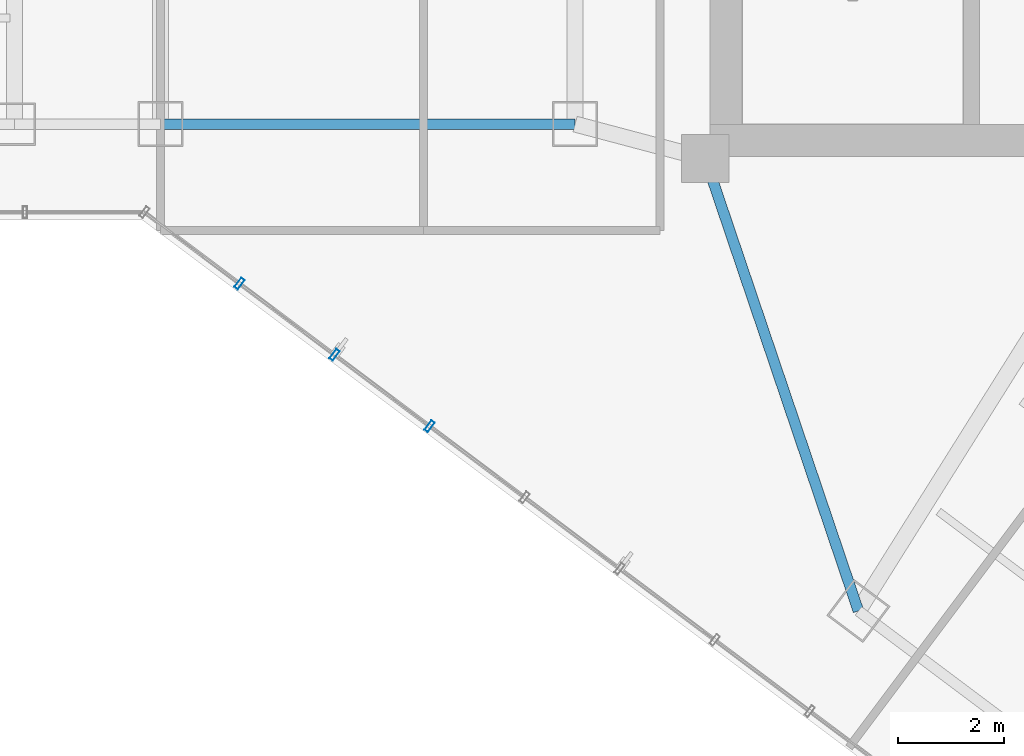
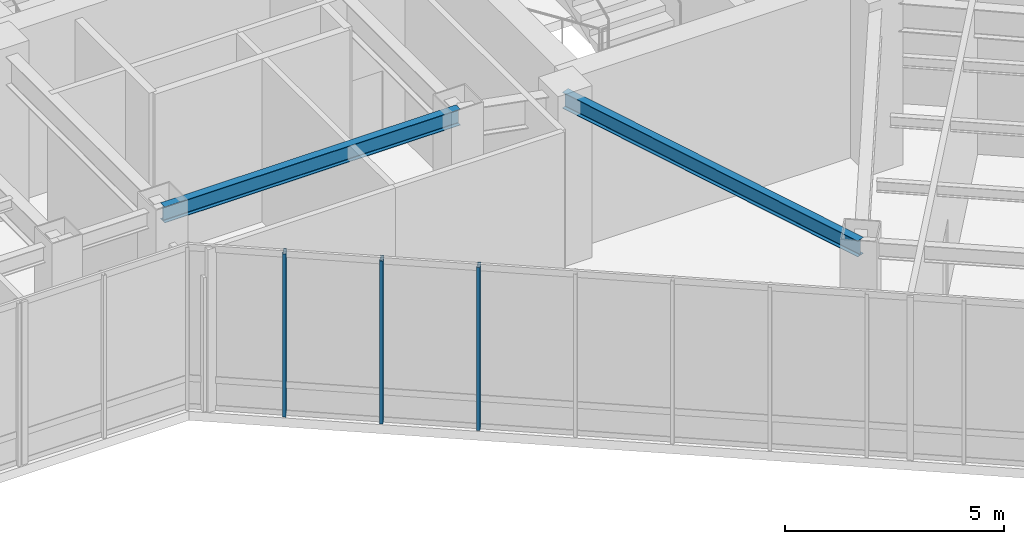
# One storey, part 8 of 30: 3 members, 2 beams, 1 element without a shape of its own.
"""IFC4 building model written with IfcOpenShell, lengths in metres."""

from ifc_helpers import new_model, si_unit, direction, frame, origin, origin_2d, place, context, subcontext, project, spatial, hollow_rectangle, i_section, extrude, material, layer, layer_set, material_profile, profile_set, type_object, element, aggregate, save


model = new_model("IFC4")

# Units and contexts
model_context = context("Model", 3, precision=1e-05, world=origin(), true_north=direction((0.0, 1.0)))
body_context = subcontext(model_context, "Body", "Model", "MODEL_VIEW")
ifc_project = project(units=[si_unit("LENGTHUNIT", "METRE"), si_unit("AREAUNIT", "SQUARE_METRE"), si_unit("VOLUMEUNIT", "CUBIC_METRE"), si_unit("PLANEANGLEUNIT", "RADIAN"), si_unit("MASSUNIT", "GRAM", prefix="KILO")], contexts=[model_context])

# Site, building, storey
site_placement = place(None, origin())
site = spatial("IfcSite", under=ifc_project, at=site_placement, CompositionType="ELEMENT")
building_placement = place(site_placement, origin())
building = spatial("IfcBuilding", under=site, at=building_placement, Name="Hatsunagi Terrace Concourse", CompositionType="ELEMENT")
storey_placement = place(building_placement, frame((0.0, 0.0, 130.050048828125)))
storey = spatial("IfcBuildingStorey", under=building, at=storey_placement, Name="L34", CompositionType="ELEMENT", Elevation=130.050048828125)

# Curtain wall, members
ifc_material_1 = material(Name="Anodised Aluminium Alloy 6063-T5", Category="aluminium")
ifc_layer = layer(ifc_material_1, 0.199951171875)
ifc_layer_set = layer_set([ifc_layer], Name="SkyLobbyAtrium_CW05")
curtain_wall_type = type_object("IfcCurtainWallType", Name="SkyLobbyAtrium_CW05", PredefinedType="NOTDEFINED", material=ifc_layer_set)
curtain_wall_placement = place(storey_placement, origin())
curtain_wall = element("IfcCurtainWall", 1, at=curtain_wall_placement, inside=storey, type_object=curtain_wall_type, Name="Unitised Curtain Wall CW-05 CW-L34-05", PredefinedType="NOTDEFINED")
ifc_material_2 = material(Name="Anodised Aluminium Alloy 6063-T5", Category="aluminium")
ifc_material_profile_1 = material_profile(ifc_material_2, hollow_rectangle(XDim=0.080078125, YDim=0.219970703125, WallThickness=0.0048828125, at=origin_2d()), Name="ALU-MUL-220x80x5")
ifc_profile_set_1 = profile_set([ifc_material_profile_1], Name="Anodised Aluminium Alloy 6063-T5")
member_type = type_object("IfcMemberType", Name="CurtainWallMullion_Heavy_220x80", PredefinedType="MULLION", material=ifc_profile_set_1)
member_1_placement = place(storey_placement, frame((30.612060546875, 19.51611328125, 0.0), z_axis=(0.0, 0.0, 1.0), x_axis=(-0.800005211305, 0.599993051531, 0.0)))
member_1 = element("IfcMember", 2, at=member_1_placement, type_object=member_type, Name="Curtain Wall Mullion MUL-01", PredefinedType="MULLION", context=body_context, shape_type="SweptSolid", body=[
    extrude(hollow_rectangle(XDim=0.080078125, YDim=0.219970703125, WallThickness=0.0048828125, at=origin_2d()), origin(), (0.0, 0.0, 1.0), 4.550048828125),
])
member_2_placement = place(storey_placement, frame((28.823974609375, 20.85791015625, 0.0), z_axis=(0.0, 0.0, 1.0), x_axis=(-0.800005211305, 0.599993051531, 0.0)))
member_2 = element("IfcMember", 3, at=member_2_placement, type_object=member_type, Name="Curtain Wall Mullion MUL-01", PredefinedType="MULLION", context=body_context, shape_type="SweptSolid", body=[
    extrude(hollow_rectangle(XDim=0.080078125, YDim=0.219970703125, WallThickness=0.0048828125, at=origin_2d()), origin(), (0.0, 0.0, 1.0), 4.550048828125),
])
member_3_placement = place(storey_placement, frame((27.034912109375, 22.198974609375, 0.0), z_axis=(0.0, 0.0, 1.0), x_axis=(-0.800005211305, 0.599993051531, 0.0)))
member_3 = element("IfcMember", 4, at=member_3_placement, type_object=member_type, Name="Curtain Wall Mullion MUL-01", PredefinedType="MULLION", context=body_context, shape_type="SweptSolid", body=[
    extrude(hollow_rectangle(XDim=0.080078125, YDim=0.219970703125, WallThickness=0.0048828125, at=origin_2d()), origin(), (0.0, 0.0, 1.0), 4.550048828125),
])
aggregate(curtain_wall, [member_1, member_2, member_3])

# Beams
ifc_material_3 = material(Name="Steel SN490B", Category="steel")
ifc_material_profile_2 = material_profile(ifc_material_3, i_section(OverallWidth=0.199951171875, OverallDepth=0.449951171875, WebThickness=0.009033203125, FlangeThickness=0.013916015625, FilletRadius=0.01611328125, at=origin_2d()), Name="H-450x200x9x14")
ifc_profile_set_2 = profile_set([ifc_material_profile_2], Name="Steel SN490B")
beam_type = type_object("IfcBeamType", Name="PerimeterSpandrel_H_450x200", PredefinedType="SPANDREL", material=ifc_profile_set_2)
beam_1_placement = place(storey_placement, frame((25.550048828125, 25.199951171875, 4.324951171875), z_axis=(1.0, 0.0, 0.0), x_axis=(0.0, 1.0, 0.0)))
element("IfcBeam", 5, at=beam_1_placement, inside=storey, type_object=beam_type, Name="Beam SP-02 BM-L34-WS-25", PredefinedType="SPANDREL", context=body_context, shape_type="SweptSolid", body=[
    extrude(i_section(OverallWidth=0.199951171875, OverallDepth=0.449951171875, WebThickness=0.009033203125, FlangeThickness=0.013916015625, FilletRadius=0.01611328125, at=origin_2d()), origin(), (0.0, 0.0, 1.0), 7.800048828125),
])
beam_2_placement = place(storey_placement, frame((35.800048828125, 24.550048828125, 4.324951171875), z_axis=(0.320553412271, -0.947230441805, 0.0), x_axis=(0.947230441805, 0.320553412271, 0.0)))
element("IfcBeam", 6, at=beam_2_placement, inside=storey, type_object=beam_type, Name="Beam SP-02 BM-L34-SE-SW0", PredefinedType="SPANDREL", context=body_context, shape_type="SweptSolid", body=[
    extrude(i_section(OverallWidth=0.199951171875, OverallDepth=0.449951171875, WebThickness=0.009033203125, FlangeThickness=0.013916015625, FilletRadius=0.01611328125, at=origin_2d()), origin(), (0.0, 0.0, 1.0), 8.984130859375),
])

save(model, "model.ifc")
